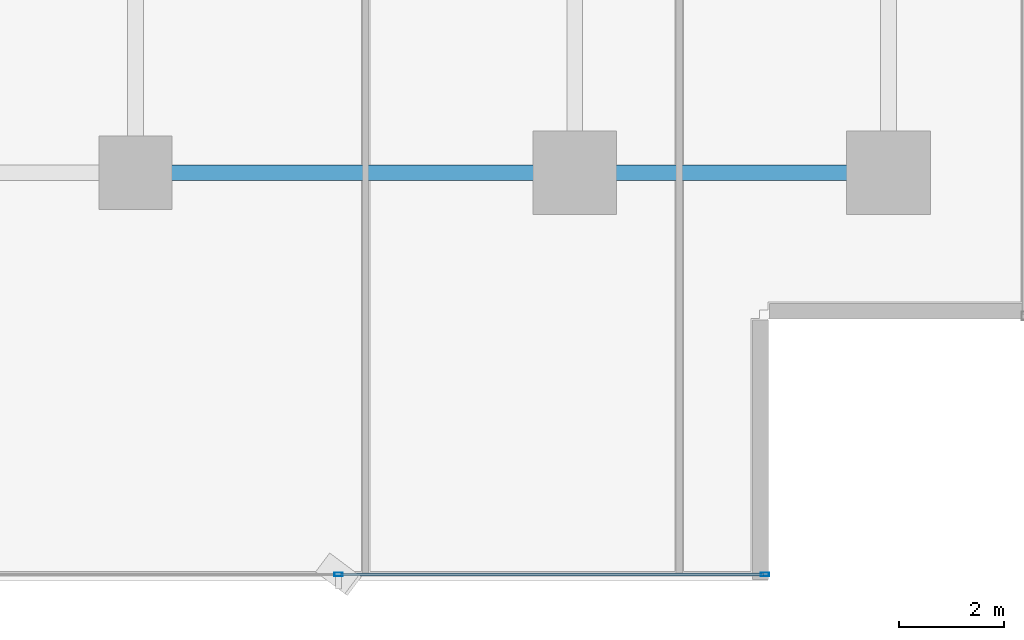
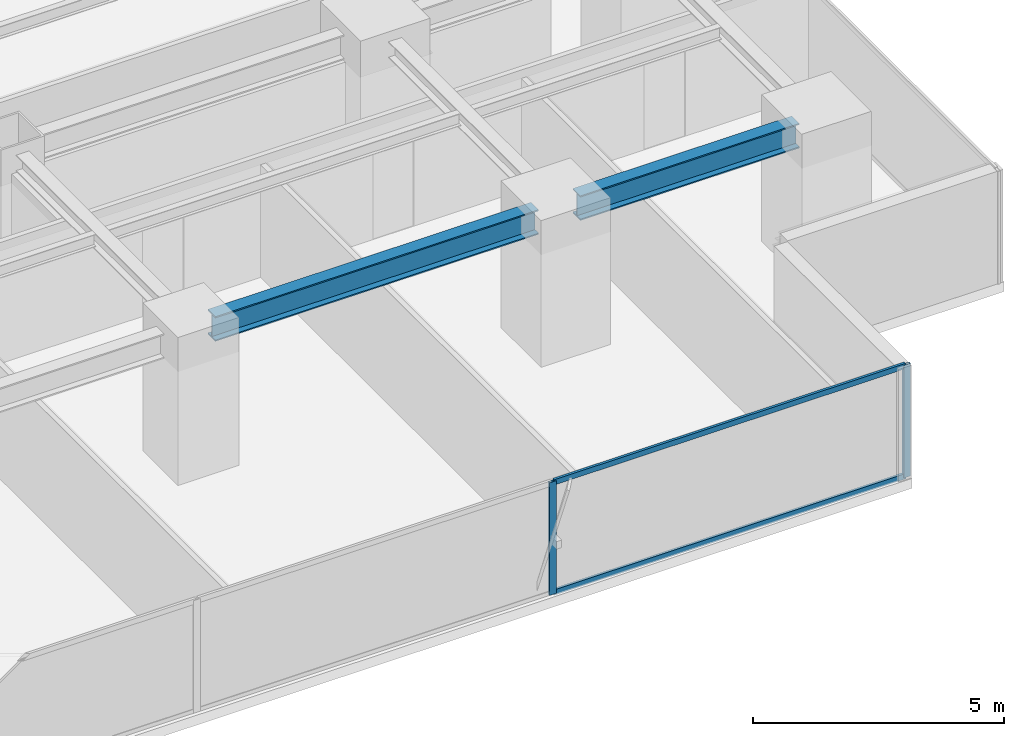
# One storey, part 12 of 37: 4 members, 2 beams, 1 element without a shape of its own.
"""IFC4 building model written with IfcOpenShell, lengths in metres."""

from ifc_helpers import new_model, si_unit, direction, frame, origin, origin_2d, place, context, subcontext, project, spatial, hollow_rectangle, i_section, extrude, source, transform, mapped, material, layer, layer_set, material_profile, profile_set, type_object, element, aggregate, save


model = new_model("IFC4")

# Units and contexts
model_context = context("Model", 3, precision=1e-05, world=origin(), true_north=direction((0.0, 1.0)))
body_context = subcontext(model_context, "Body", "Model", "MODEL_VIEW")
ifc_project = project(units=[si_unit("LENGTHUNIT", "METRE"), si_unit("AREAUNIT", "SQUARE_METRE"), si_unit("VOLUMEUNIT", "CUBIC_METRE"), si_unit("PLANEANGLEUNIT", "RADIAN"), si_unit("MASSUNIT", "GRAM", prefix="KILO")], contexts=[model_context])

# Site, building, storey
site_placement = place(None, origin())
site = spatial("IfcSite", under=ifc_project, at=site_placement, CompositionType="ELEMENT")
building_placement = place(site_placement, origin())
building = spatial("IfcBuilding", under=site, at=building_placement, Name="Sumidabori Civic Tower", CompositionType="ELEMENT")
storey_placement = place(building_placement, frame((0.0, 0.0, 81.199951171875)))
storey = spatial("IfcBuildingStorey", under=building, at=storey_placement, Name="L20", CompositionType="ELEMENT", Elevation=81.199951171875)

# Beams
ifc_material_1 = material(Name="Steel SN490", Category="steel")
ifc_material_profile_1 = material_profile(ifc_material_1, i_section(OverallWidth=0.300048828125, OverallDepth=0.60009765625, WebThickness=0.015380859375, FlangeThickness=0.030029296875, at=origin_2d()), Name="HE 600 B")
ifc_profile_set_1 = profile_set([ifc_material_profile_1], Name="Steel SN490")
beam_type = type_object("IfcBeamType", Name="BM-GIRD-600", PredefinedType="BEAM", material=ifc_profile_set_1)
shared_shape_1 = source(origin(), body_context, "Body", "SweptSolid", [
    extrude(i_section(OverallWidth=0.300048828125, OverallDepth=0.60009765625, WebThickness=0.015380859375, FlangeThickness=0.030029296875, at=origin_2d()), origin(), (0.0, 0.0, 1.0), 5.0400390625),
])
beam_1_placement = place(storey_placement, frame((17.280029296875, -18.0, 3.06005859375), z_axis=(1.0, 0.0, 0.0), x_axis=(0.0, 1.0, 0.0)))
element("IfcBeam", 1, at=beam_1_placement, inside=storey, type_object=beam_type, Name="Primary Girder L20 GX-06", PredefinedType="BEAM", context=body_context, shape_type="MappedRepresentation", body=[
    mapped(shared_shape_1, transform((0.0, 0.0, 0.0), x_axis=(1.0, 0.0, 0.0), y_axis=(0.0, 1.0, 0.0), z_axis=(0.0, 0.0, 1.0), scale=1.0)),
])
shared_shape_2 = source(origin(), body_context, "Body", "SweptSolid", [
    extrude(i_section(OverallWidth=0.300048828125, OverallDepth=0.60009765625, WebThickness=0.015380859375, FlangeThickness=0.030029296875, at=origin_2d()), origin(), (0.0, 0.0, 1.0), 7.440185546875),
])
beam_2_placement = place(storey_placement, frame((8.8798828125, -18.0, 3.06005859375), z_axis=(1.0, 0.0, 0.0), x_axis=(0.0, 1.0, 0.0)))
element("IfcBeam", 2, at=beam_2_placement, inside=storey, type_object=beam_type, Name="Primary Girder L20 GX-05", PredefinedType="BEAM", context=body_context, shape_type="MappedRepresentation", body=[
    mapped(shared_shape_2, transform((0.0, 0.0, 0.0), x_axis=(1.0, 0.0, 0.0), y_axis=(0.0, 1.0, 0.0), z_axis=(0.0, 0.0, 1.0), scale=1.0)),
])

# Curtain wall, members
ifc_material_2 = material(Name="Anodised Bronze Aluminium AW-6063-T6", Category="aluminium")
ifc_layer = layer(ifc_material_2, 0.179931640625, Name="Anodised Bronze Aluminium AW-6063-T6")
ifc_layer_set = layer_set([ifc_layer], Name="Anodised Bronze Aluminium AW-6063-T6")
curtain_wall_type = type_object("IfcCurtainWallType", Name="CW-SYS-3", PredefinedType="NOTDEFINED", material=ifc_layer_set)
curtain_wall_placement = place(storey_placement, origin())
curtain_wall = element("IfcCurtainWall", 3, at=curtain_wall_placement, inside=storey, type_object=curtain_wall_type, Name="Curtain Wall CW:L20:R01", PredefinedType="NOTDEFINED")
ifc_material_profile_2 = material_profile(ifc_material_2, hollow_rectangle(XDim=0.06494140625, YDim=0.159912109375, WallThickness=0.0048828125, at=origin_2d()), Name="ALU MULLION 160x65")
ifc_profile_set_2 = profile_set([ifc_material_profile_2], Name="Anodised Bronze Aluminium AW-6063-T6")
member_type_1 = type_object("IfcMemberType", Name="CW-MUL-160", PredefinedType="MULLION", material=ifc_profile_set_2)
shared_shape_3 = source(origin(), body_context, "Body", "SweptSolid", [
    extrude(hollow_rectangle(XDim=0.06494140625, YDim=0.159912109375, WallThickness=0.0048828125, at=origin_2d()), origin(), (0.0, 0.0, 1.0), 2.739990234375),
])
member_1_placement = place(storey_placement, frame((12.281982421875, -25.679931640625, 0.0), z_axis=(0.0, 0.0, 1.0), x_axis=(0.0, 1.0, 0.0)))
member_1 = element("IfcMember", 4, at=member_1_placement, type_object=member_type_1, Name="CW-3 mullion 5", PredefinedType="MULLION", context=body_context, shape_type="MappedRepresentation", body=[
    mapped(shared_shape_3, transform((0.0, 0.0, 0.0), x_axis=(1.0, 0.0, 0.0), y_axis=(0.0, 1.0, 0.0), z_axis=(0.0, 0.0, 1.0), scale=1.0)),
])
member_2_placement = place(storey_placement, frame((20.4375, -25.679931640625, 0.0), z_axis=(0.0, 0.0, 1.0), x_axis=(0.0, 1.0, 0.0)))
member_2 = element("IfcMember", 5, at=member_2_placement, type_object=member_type_1, Name="CW-3 mullion 6", PredefinedType="MULLION", context=body_context, shape_type="MappedRepresentation", body=[
    mapped(shared_shape_3, transform((0.0, 0.0, 0.0), x_axis=(1.0, 0.0, 0.0), y_axis=(0.0, 1.0, 0.0), z_axis=(0.0, 0.0, 1.0), scale=1.0)),
])
ifc_material_profile_3 = material_profile(ifc_material_2, hollow_rectangle(XDim=0.06005859375, YDim=0.1298828125, WallThickness=0.0048828125, at=origin_2d()), Name="ALU TRANSOM 130x60")
ifc_profile_set_3 = profile_set([ifc_material_profile_3], Name="Anodised Bronze Aluminium AW-6063-T6")
member_type_2 = type_object("IfcMemberType", Name="CW-TRN-130", PredefinedType="USERDEFINED", material=ifc_profile_set_3)
shared_shape_4 = source(origin(), body_context, "Body", "SweptSolid", [
    extrude(hollow_rectangle(XDim=0.06005859375, YDim=0.1298828125, WallThickness=0.0048828125, at=origin_2d()), origin(), (0.0, 0.0, 1.0), 8.090576171875),
])
member_3_placement = place(storey_placement, frame((12.314453125, -25.679931640625, 0.030029296875), z_axis=(1.0, 0.0, 0.0), x_axis=(0.0, 1.0, 0.0)))
member_3 = element("IfcMember", 6, at=member_3_placement, type_object=member_type_2, Name="CW-3 transom 5.1", ObjectType="TRANSOM", PredefinedType="USERDEFINED", context=body_context, shape_type="MappedRepresentation", body=[
    mapped(shared_shape_4, transform((0.0, 0.0, 0.0), x_axis=(1.0, 0.0, 0.0), y_axis=(0.0, 1.0, 0.0), z_axis=(0.0, 0.0, 1.0), scale=1.0)),
])
member_4_placement = place(storey_placement, frame((12.314453125, -25.679931640625, 2.7099609375), z_axis=(1.0, 0.0, 0.0), x_axis=(0.0, 1.0, 0.0)))
member_4 = element("IfcMember", 7, at=member_4_placement, type_object=member_type_2, Name="CW-3 transom 5.2", ObjectType="TRANSOM", PredefinedType="USERDEFINED", context=body_context, shape_type="MappedRepresentation", body=[
    mapped(shared_shape_4, transform((0.0, 0.0, 0.0), x_axis=(1.0, 0.0, 0.0), y_axis=(0.0, 1.0, 0.0), z_axis=(0.0, 0.0, 1.0), scale=1.0)),
])
aggregate(curtain_wall, [member_1, member_2, member_3, member_4])

save(model, "model.ifc")
